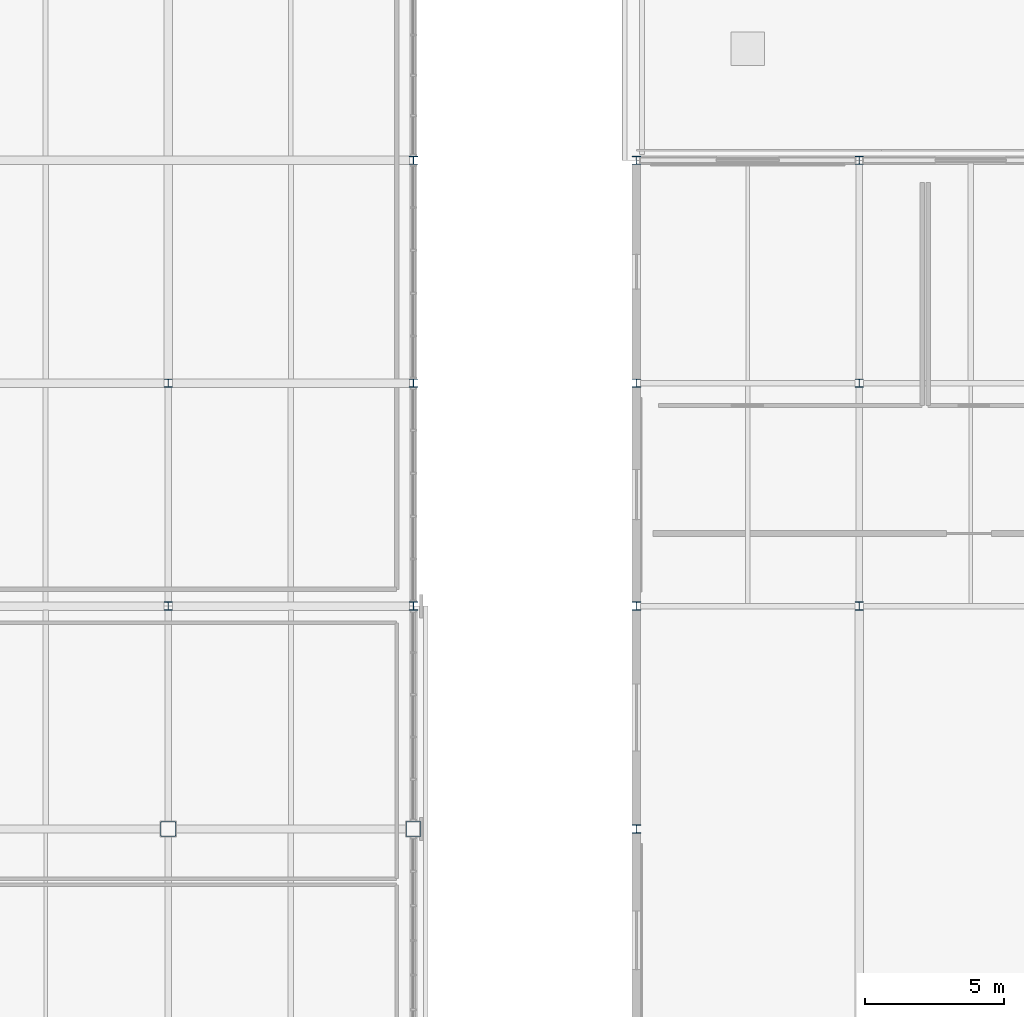
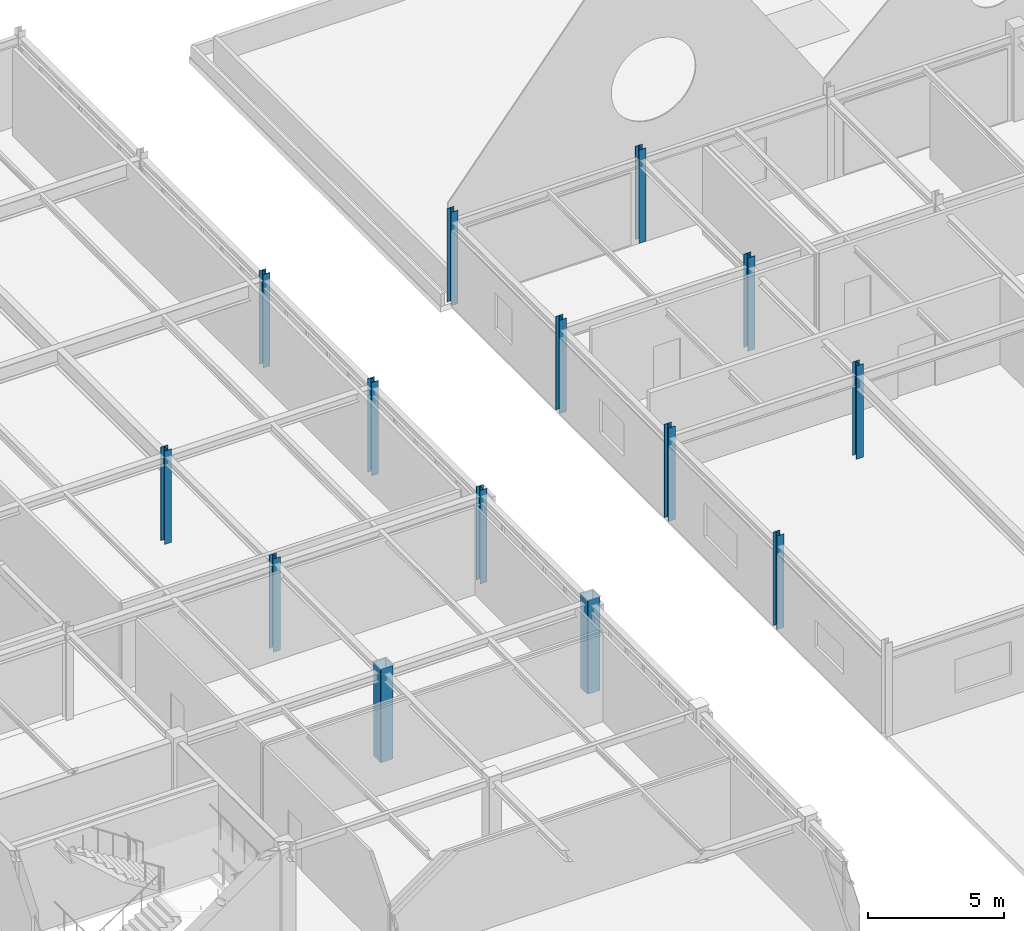
# One storey, part 5 of 88: 14 columns.
"""IFC4 building model written with IfcOpenShell, lengths in metres."""

from ifc_helpers import new_model, si_unit, direction, frame, origin, origin_2d, place, context, subcontext, project, spatial, hollow_rectangle, i_section, extrude, material, material_profile, profile_set, type_object, element, save


model = new_model("IFC4")

# Units and contexts
model_context = context("Model", 3, precision=1e-05, world=origin(), true_north=direction((0.0, 1.0)))
body_context = subcontext(model_context, "Body", "Model", "MODEL_VIEW")
ifc_project = project(units=[si_unit("LENGTHUNIT", "METRE"), si_unit("AREAUNIT", "SQUARE_METRE"), si_unit("VOLUMEUNIT", "CUBIC_METRE"), si_unit("PLANEANGLEUNIT", "RADIAN"), si_unit("MASSUNIT", "GRAM", prefix="KILO")], contexts=[model_context])

# Site, building, storey
site_placement = place(None, origin())
site = spatial("IfcSite", under=ifc_project, at=site_placement, CompositionType="ELEMENT")
building_placement = place(site_placement, origin())
building = spatial("IfcBuilding", under=site, at=building_placement, Name="Zhaolan Boulevard Law Courts", CompositionType="ELEMENT")
storey_placement = place(building_placement, frame((0.0, 0.0, 16.199951171875)))
storey = spatial("IfcBuildingStorey", under=building, at=storey_placement, Name="L03", CompositionType="ELEMENT", Elevation=16.199951171875)

# Columns
ifc_material_1 = material(Name="Structural steel Q390B", Category="steel")
ifc_material_profile_1 = material_profile(ifc_material_1, hollow_rectangle(XDim=0.550048828125, YDim=0.550048828125, WallThickness=0.02197265625, InnerFilletRadius=0.02197265625, OuterFilletRadius=0.0439453125, at=origin_2d()), Name="BOX550x550x22")
ifc_profile_set_1 = profile_set([ifc_material_profile_1], Name="Structural steel Q390B")
column_type_1 = type_object("IfcColumnType", Name="COL BOX550", PredefinedType="COLUMN", material=ifc_profile_set_1)
for number, where, z_axis, x_axis, name in (
    (1, (35.199951171875, 70.0, 0.0), (0.0, 0.0, 1.0), (1.0, 0.0, 0.0), "Column C-5K (L03)"),
    (2, (44.0, 70.0, 0.0), (0.0, 0.0, 1.0), (1.0, 0.0, 0.0), "Column C-6K (L03)"),
):
    element("IfcColumn", number, at=place(storey_placement, frame(where, z_axis=z_axis, x_axis=x_axis)), inside=storey, type_object=column_type_1, Name=name, PredefinedType="COLUMN", context=body_context, shape_type="SweptSolid", body=[
        extrude(hollow_rectangle(XDim=0.550048828125, YDim=0.550048828125, WallThickness=0.02197265625, InnerFilletRadius=0.02197265625, OuterFilletRadius=0.0439453125, at=origin_2d()), origin(), (0.0, 0.0, 1.0), 4.199951171875),
    ])
ifc_material_2 = material(Name="Structural steel Q355B", Category="steel")
ifc_material_profile_2 = material_profile(ifc_material_2, i_section(OverallWidth=0.300048828125, OverallDepth=0.300048828125, WebThickness=0.010009765625, FlangeThickness=0.014892578125, FilletRadius=0.01806640625, at=origin_2d()), Name="HW300x300")
ifc_profile_set_2 = profile_set([ifc_material_profile_2], Name="Structural steel Q355B")
column_type_2 = type_object("IfcColumnType", Name="COL HW300", PredefinedType="COLUMN", material=ifc_profile_set_2)
for number, where, z_axis, x_axis, name in (
    (3, (35.199951171875, 78.0, 0.0), (0.0, 0.0, 1.0), (1.0, 0.0, 0.0), "Column C-5L (L03)"),
    (4, (35.199951171875, 86.0, 0.0), (0.0, 0.0, 1.0), (1.0, 0.0, 0.0), "Column C-5M (L03)"),
    (5, (44.0, 78.0, 0.0), (0.0, 0.0, 1.0), (1.0, 0.0, 0.0), "Column C-6L (L03)"),
    (6, (44.0, 86.0, 0.0), (0.0, 0.0, 1.0), (1.0, 0.0, 0.0), "Column C-6M (L03)"),
    (7, (44.0, 94.0, 0.0), (0.0, 0.0, 1.0), (1.0, 0.0, 0.0), "Column C-6N (L03)"),
    (8, (52.0, 70.0, 0.0), (0.0, 0.0, 1.0), (1.0, 0.0, 0.0), "Column C-7K (L03)"),
    (9, (52.0, 78.0, 0.0), (0.0, 0.0, 1.0), (1.0, 0.0, 0.0), "Column C-7L (L03)"),
    (10, (52.0, 86.0, 0.0), (0.0, 0.0, 1.0), (1.0, 0.0, 0.0), "Column C-7M (L03)"),
    (11, (52.0, 94.0, 0.0), (0.0, 0.0, 1.0), (1.0, 0.0, 0.0), "Column C-7N (L03)"),
    (12, (60.0, 78.0, 0.0), (0.0, 0.0, 1.0), (1.0, 0.0, 0.0), "Column C-8L (L03)"),
    (13, (60.0, 86.0, 0.0), (0.0, 0.0, 1.0), (1.0, 0.0, 0.0), "Column C-8M (L03)"),
    (14, (60.0, 94.0, 0.0), (0.0, 0.0, 1.0), (1.0, 0.0, 0.0), "Column C-8N (L03)"),
):
    element("IfcColumn", number, at=place(storey_placement, frame(where, z_axis=z_axis, x_axis=x_axis)), inside=storey, type_object=column_type_2, Name=name, PredefinedType="COLUMN", context=body_context, shape_type="SweptSolid", body=[
        extrude(i_section(OverallWidth=0.300048828125, OverallDepth=0.300048828125, WebThickness=0.010009765625, FlangeThickness=0.014892578125, FilletRadius=0.01806640625, at=origin_2d()), origin(), (0.0, 0.0, 1.0), 4.199951171875),
    ])

save(model, "model.ifc")
